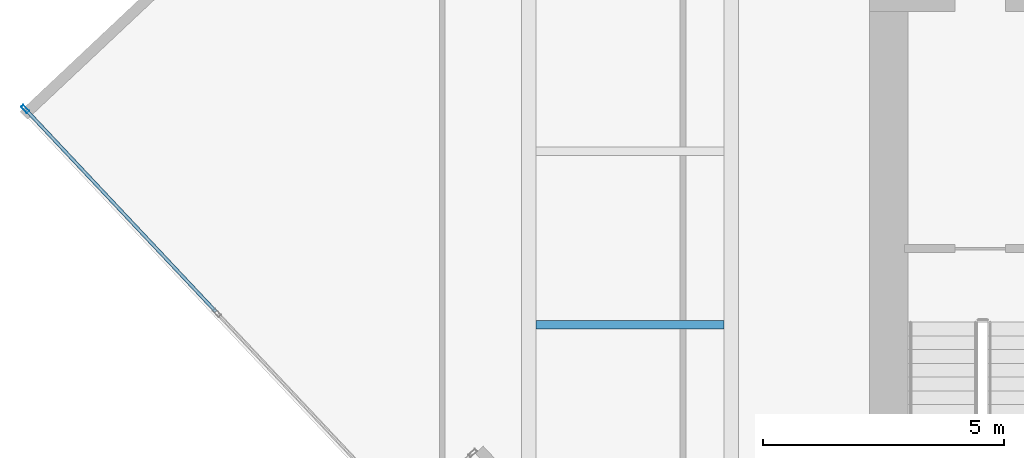
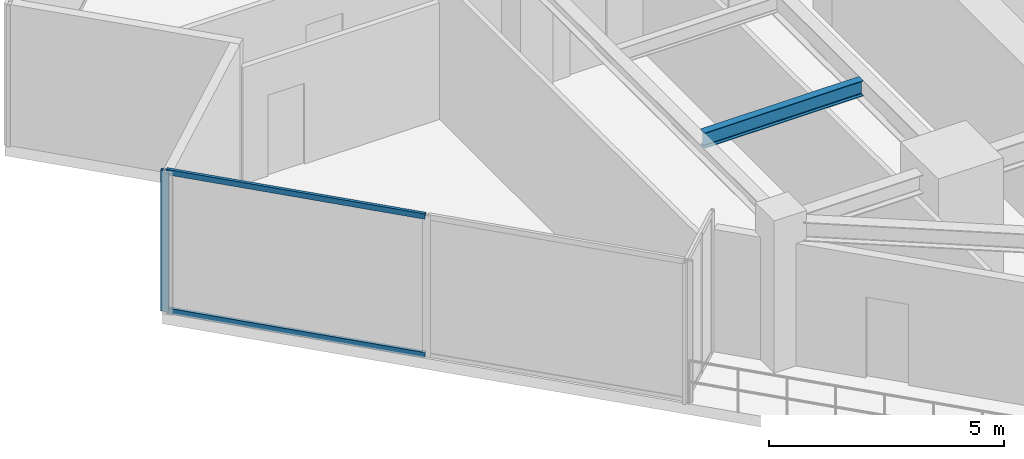
# One storey, part 5 of 24: 3 members, 1 beam, 1 element without a shape of its own.
"""IFC4 building model written with IfcOpenShell, lengths in metres."""

from ifc_helpers import new_model, si_unit, direction, frame, origin, origin_2d, place, context, subcontext, project, spatial, hollow_rectangle, i_section, extrude, source, transform, mapped, material, material_profile, profile_set, type_object, type_shapes, element, aggregate, save


model = new_model("IFC4")

# Units and contexts
model_context = context("Model", 3, precision=1e-05, world=origin(), true_north=direction((0.0, 1.0)))
body_context = subcontext(model_context, "Body", "Model", "MODEL_VIEW")
ifc_project = project(units=[si_unit("LENGTHUNIT", "METRE"), si_unit("AREAUNIT", "SQUARE_METRE"), si_unit("VOLUMEUNIT", "CUBIC_METRE"), si_unit("PLANEANGLEUNIT", "RADIAN"), si_unit("MASSUNIT", "GRAM", prefix="KILO")], contexts=[model_context])

# Site, building, storey
site_placement = place(None, origin())
site = spatial("IfcSite", under=ifc_project, at=site_placement, CompositionType="ELEMENT")
building_placement = place(site_placement, origin())
building = spatial("IfcBuilding", under=site, at=building_placement, Name="Krantzveldt Concourse Tower", CompositionType="ELEMENT")
storey_placement = place(building_placement, frame((0.0, 0.0, 242.85009765625)))
storey = spatial("IfcBuildingStorey", under=building, at=storey_placement, Name="L59", CompositionType="ELEMENT", Elevation=242.85009765625)

# Beam
ifc_material_1 = material(Name="Steel S355JR", Category="steel")
ifc_material_profile_1 = material_profile(ifc_material_1, i_section(OverallWidth=0.179931640625, OverallDepth=0.39990234375, WebThickness=0.008544921875, FlangeThickness=0.013427734375, FilletRadius=0.02099609375, at=origin_2d()), Name="Steel S355JR", Category="steel")
ifc_profile_set_1 = profile_set([ifc_material_profile_1], Name="Steel S355JR - IPE 400")
beam_type = type_object("IfcBeamType", Name="BM-J-IPE400", PredefinedType="JOIST", material=ifc_profile_set_1)
shared_shape_1 = source(origin(), body_context, "Body", "SweptSolid", [
    extrude(i_section(OverallWidth=0.179931640625, OverallDepth=0.39990234375, WebThickness=0.008544921875, FlangeThickness=0.013427734375, FilletRadius=0.02099609375, at=origin_2d()), origin(), (0.0, 0.0, 1.0), 3.900146484375),
])
type_shapes(beam_type, [shared_shape_1])
beam_placement = place(storey_placement, frame((21.14990234375, 19.5, 3.469970703125), z_axis=(1.0, 0.0, 0.0), x_axis=(0.0, 1.0, 0.0)))
element("IfcBeam", 1, at=beam_placement, inside=storey, type_object=beam_type, Name="L59 Secondary Floor Joist JW-1", PredefinedType="JOIST", context=body_context, shape_type="MappedRepresentation", body=[
    mapped(shared_shape_1, transform((0.0, 0.0, 0.0), x_axis=(1.0, 0.0, 0.0), y_axis=(0.0, 1.0, 0.0), z_axis=(0.0, 0.0, 1.0), scale=1.0)),
])

# Curtain wall, members
ifc_material_2 = material(Name="Anodised aluminium 6063-T6", Category="aluminium")
curtain_wall_type = type_object("IfcCurtainWallType", Name="CW3", PredefinedType="USERDEFINED", material=ifc_material_2)
curtain_wall_placement = place(storey_placement, origin())
curtain_wall = element("IfcCurtainWall", 2, at=curtain_wall_placement, inside=storey, type_object=curtain_wall_type, Name="CW-L59-F04", ObjectType="UNITISED CURTAIN WALL", PredefinedType="USERDEFINED")
ifc_material_profile_2 = material_profile(ifc_material_2, hollow_rectangle(XDim=0.070068359375, YDim=0.179931640625, WallThickness=0.0048828125, at=origin_2d()), Name="Anodised aluminium 6063-T6", Category="aluminium")
ifc_profile_set_2 = profile_set([ifc_material_profile_2], Name="Anodised aluminium 6063-T6 - ALU-MULL 180x70x5")
member_type_1 = type_object("IfcMemberType", Name="CW-MUL-180", PredefinedType="MULLION", material=ifc_profile_set_2)
shared_shape_2 = source(origin(), body_context, "Body", "SweptSolid", [
    extrude(hollow_rectangle(XDim=0.070068359375, YDim=0.179931640625, WallThickness=0.0048828125, at=origin_2d()), origin(), (0.0, 0.0, 1.0), 3.669921875),
])
type_shapes(member_type_1, [shared_shape_2])
member_1_placement = place(storey_placement, frame((10.53759765625, 23.979736328125, 0.0), z_axis=(0.0, 0.0, 1.0), x_axis=(0.728370998021, 0.685182960414, 0.0)))
member_1 = element("IfcMember", 3, at=member_1_placement, type_object=member_type_1, Name="CW-Z34 mullion 1", PredefinedType="MULLION", context=body_context, shape_type="MappedRepresentation", body=[
    mapped(shared_shape_2, transform((0.0, 0.0, 0.0), x_axis=(1.0, 0.0, 0.0), y_axis=(0.0, 1.0, 0.0), z_axis=(0.0, 0.0, 1.0), scale=1.0)),
])
ifc_material_profile_3 = material_profile(ifc_material_2, hollow_rectangle(XDim=0.070068359375, YDim=0.139892578125, WallThickness=0.0048828125, at=origin_2d()), Name="Anodised aluminium 6063-T6", Category="aluminium")
ifc_profile_set_3 = profile_set([ifc_material_profile_3], Name="Anodised aluminium 6063-T6 - ALU-TRAN 140x70x5")
member_type_2 = type_object("IfcMemberType", Name="CW-TRN-150", PredefinedType="USERDEFINED", material=ifc_profile_set_3)
shared_shape_3 = source(origin(), body_context, "Body", "SweptSolid", [
    extrude(hollow_rectangle(XDim=0.070068359375, YDim=0.139892578125, WallThickness=0.0048828125, at=origin_2d()), origin(), (0.0, 0.0, 1.0), 5.744873046875),
])
type_shapes(member_type_2, [shared_shape_3])
member_2_placement = place(storey_placement, frame((10.5615234375, 23.9541015625, 0.034912109375), z_axis=(0.685210917167, -0.728344697924, 0.0), x_axis=(0.728344697924, 0.685210917167, 0.0)))
member_2 = element("IfcMember", 4, at=member_2_placement, type_object=member_type_2, Name="CW-Z34 transom 1.1", ObjectType="TRANSOM", PredefinedType="USERDEFINED", context=body_context, shape_type="MappedRepresentation", body=[
    mapped(shared_shape_3, transform((0.0, 0.0, 0.0), x_axis=(1.0, 0.0, 0.0), y_axis=(0.0, 1.0, 0.0), z_axis=(0.0, 0.0, 1.0), scale=1.0)),
])
member_3_placement = place(storey_placement, frame((10.5615234375, 23.9541015625, 3.635009765625), z_axis=(0.685210917167, -0.728344697924, 0.0), x_axis=(0.728344697924, 0.685210917167, 0.0)))
member_3 = element("IfcMember", 5, at=member_3_placement, type_object=member_type_2, Name="CW-Z34 transom 1.2", ObjectType="TRANSOM", PredefinedType="USERDEFINED", context=body_context, shape_type="MappedRepresentation", body=[
    mapped(shared_shape_3, transform((0.0, 0.0, 0.0), x_axis=(1.0, 0.0, 0.0), y_axis=(0.0, 1.0, 0.0), z_axis=(0.0, 0.0, 1.0), scale=1.0)),
])
aggregate(curtain_wall, [member_1, member_2, member_3])

save(model, "model.ifc")
